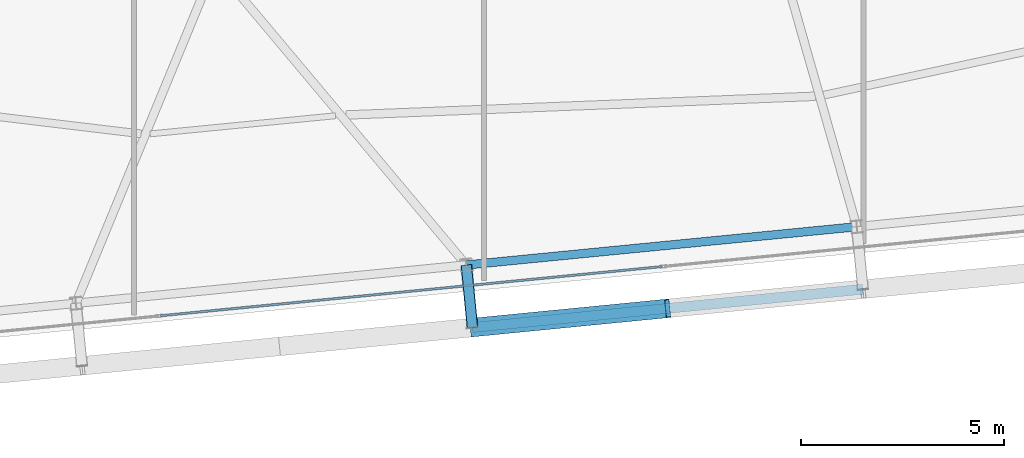
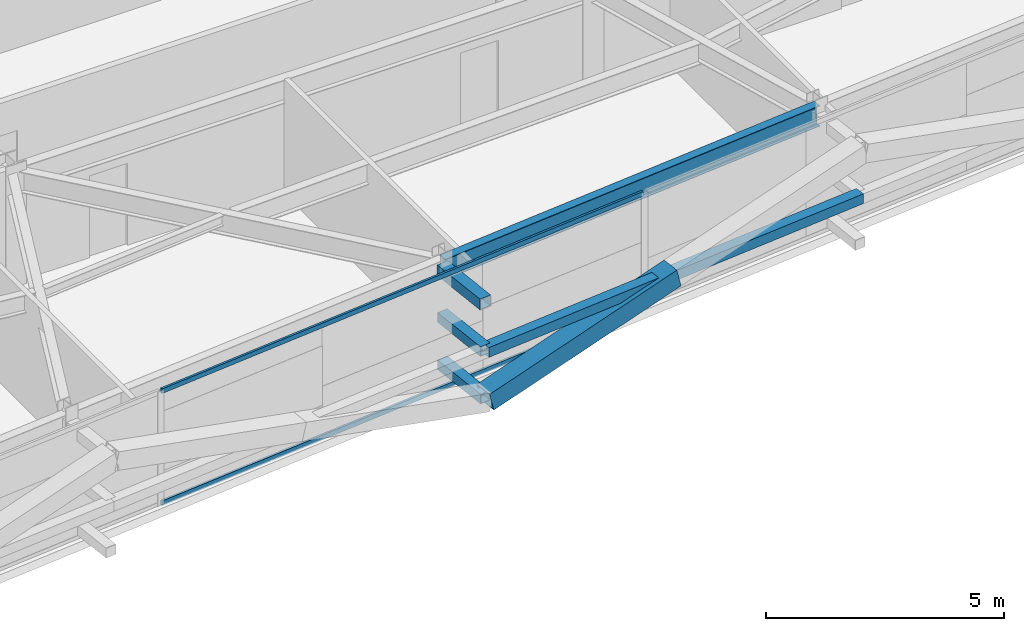
# One storey, part 10 of 47: 7 members, 1 beam, 1 element without a shape of its own.
"""IFC4 building model written with IfcOpenShell, lengths in metres."""

from ifc_helpers import new_model, si_unit, direction, frame, origin, origin_2d, place, context, subcontext, project, spatial, hollow_rectangle, i_section, extrude, source, transform, mapped, material, layer, layer_set, material_profile, profile_set, type_object, element, aggregate, save


model = new_model("IFC4")

# Units and contexts
model_context = context("Model", 3, precision=1e-05, world=origin(), true_north=direction((0.0, 1.0)))
body_context = subcontext(model_context, "Body", "Model", "MODEL_VIEW")
ifc_project = project(units=[si_unit("LENGTHUNIT", "METRE"), si_unit("AREAUNIT", "SQUARE_METRE"), si_unit("VOLUMEUNIT", "CUBIC_METRE"), si_unit("PLANEANGLEUNIT", "RADIAN"), si_unit("MASSUNIT", "GRAM", prefix="KILO")], contexts=[model_context])

# Site, building, storey
site_placement = place(None, origin())
site = spatial("IfcSite", under=ifc_project, at=site_placement, CompositionType="ELEMENT")
building_placement = place(site_placement, origin())
building = spatial("IfcBuilding", under=site, at=building_placement, Name="Taldren Reach Tower", CompositionType="ELEMENT")
storey_placement = place(building_placement, frame((0.0, 0.0, 87.14990234375)))
storey = spatial("IfcBuildingStorey", under=building, at=storey_placement, Name="L26", CompositionType="ELEMENT", Elevation=87.14990234375)

# Beam
ifc_material_1 = material(Name="Steel Gr 350 (350PLUS)", Category="steel")
ifc_material_profile_1 = material_profile(ifc_material_1, i_section(OverallWidth=0.208984375, OverallDepth=0.528076171875, WebThickness=0.009521484375, FlangeThickness=0.01318359375, at=origin_2d()), Name="530UB82.0")
ifc_profile_set_1 = profile_set([ifc_material_profile_1], Name="Steel Gr 350 (350PLUS)")
beam_type = type_object("IfcBeamType", Name="SP-UB530B", PredefinedType="SPANDREL", material=ifc_profile_set_1)
shared_shape_1 = source(origin(), body_context, "Body", "SweptSolid", [
    extrude(i_section(OverallWidth=0.208984375, OverallDepth=0.528076171875, WebThickness=0.009521484375, FlangeThickness=0.01318359375, at=origin_2d()), origin(), (0.0, 0.0, 1.0), 9.679931640625),
])
beam_placement = place(storey_placement, frame((34.20166015625, 1.809326171875, 2.666015625), z_axis=(0.995227612658, 0.097580730699, 0.0), x_axis=(-0.097580730699, 0.995227612658, 0.0)))
element("IfcBeam", 1, at=beam_placement, inside=storey, type_object=beam_type, Name="Perimeter spandrel B2 S3-S4 L26", PredefinedType="SPANDREL", context=body_context, shape_type="MappedRepresentation", body=[
    mapped(shared_shape_1, transform((0.0, 0.0, 0.0), scale=1.0)),
])

# Members
ifc_material_2 = material(Name="Steel Gr 450 (C450L0)", Category="steel")
ifc_material_profile_2 = material_profile(ifc_material_2, hollow_rectangle(XDim=0.27490234375, YDim=0.27490234375, WallThickness=0.00927734375, at=origin_2d()), Name="275x275x9.3SHS")
ifc_profile_set_2 = profile_set([ifc_material_profile_2], Name="Steel Gr 450 (C450L0)")
member_type_1 = type_object("IfcMemberType", Name="MB-TIE273", PredefinedType="STRUT", material=ifc_profile_set_2)
shared_shape_2 = source(origin(), body_context, "Body", "SweptSolid", [
    extrude(hollow_rectangle(XDim=0.27490234375, YDim=0.27490234375, WallThickness=0.00927734375, at=origin_2d()), origin(), (0.0, 0.0, 1.0), 1.550048828125),
])
member_1_placement = place(storey_placement, frame((34.20166015625, 1.809326171875, 2.650146484375), z_axis=(0.097647892962, -0.9952210252, 0.0), x_axis=(0.9952210252, 0.097647892962, 0.0)))
element("IfcMember", 2, at=member_1_placement, inside=storey, type_object=member_type_1, Name="Exoskeleton diaphragm tie strut B2-S3 L26", PredefinedType="STRUT", context=body_context, shape_type="MappedRepresentation", body=[
    mapped(shared_shape_2, transform((0.0, 0.0, 0.0), scale=1.0)),
])
ifc_material_profile_3 = material_profile(ifc_material_2, hollow_rectangle(XDim=0.4599609375, YDim=0.4599609375, WallThickness=0.01611328125, at=origin_2d()), Name="460x460x16.0SHS")
ifc_profile_set_3 = profile_set([ifc_material_profile_3], Name="Steel Gr 450 (C450L0)")
member_type_2 = type_object("IfcMemberType", Name="MB-EXO457", PredefinedType="BRACE", material=ifc_profile_set_3)
shared_shape_3 = source(origin(), body_context, "Body", "SweptSolid", [
    extrude(hollow_rectangle(XDim=0.4599609375, YDim=0.4599609375, WallThickness=0.01611328125, at=origin_2d()), origin(), (0.0, 0.0, 1.0), 4.990234375),
])
member_2_placement = place(storey_placement, frame((34.35302734375, 0.2666015625, 0.22021484375), z_axis=(0.965282554799, 0.094669120301, 0.243448859234), x_axis=(-0.097605711627, 0.995225162995, 0.0)))
element("IfcMember", 3, at=member_2_placement, inside=storey, type_object=member_type_2, Name="Exoskeleton Diagrid Brace B2-S3 L26", PredefinedType="BRACE", context=body_context, shape_type="MappedRepresentation", body=[
    mapped(shared_shape_3, transform((0.0, 0.0, 0.0), scale=1.0)),
])
ifc_material_3 = material(Name="Steel Gr 350 (C350L0)", Category="steel")
ifc_material_profile_4 = material_profile(ifc_material_3, hollow_rectangle(XDim=0.25, YDim=0.25, WallThickness=0.010009765625, at=origin_2d()), Name="250x250x10.0SHS")
ifc_profile_set_4 = profile_set([ifc_material_profile_4], Name="Steel Gr 350 (C350L0)")
member_type_3 = type_object("IfcMemberType", Name="MB-POST250", PredefinedType="POST", material=ifc_profile_set_4)
shared_shape_4 = source(origin(), body_context, "Body", "SweptSolid", [
    extrude(hollow_rectangle(XDim=0.25, YDim=0.25, WallThickness=0.010009765625, at=origin_2d()), origin(), (0.0, 0.0, 1.0), 9.679931640625),
])
member_3_placement = place(storey_placement, frame((34.35302734375, 0.2666015625, 1.43505859375), z_axis=(0.995225162995, 0.097605711627, 0.0), x_axis=(-0.097605711627, 0.995225162995, 0.0)))
element("IfcMember", 4, at=member_3_placement, inside=storey, type_object=member_type_3, Name="Exoskeleton mid-height ring chord B2-S3 L26", PredefinedType="POST", context=body_context, shape_type="MappedRepresentation", body=[
    mapped(shared_shape_4, transform((0.0, 0.0, 0.0), scale=1.0)),
])
shared_shape_5 = source(origin(), body_context, "Body", "SweptSolid", [
    extrude(hollow_rectangle(XDim=0.25, YDim=0.25, WallThickness=0.010009765625, at=origin_2d()), origin(), (0.0, 0.0, 1.0), 1.550048828125),
])
for number, where, z_axis, x_axis, name in (
    (5, (34.20166015625, 1.809326171875, 0.22021484375), (0.097647892962, -0.9952210252, 0.0), (0.9952210252, 0.097647892962, 0.0), "Exoskeleton base diaphragm tie strut B2-S3 L26"),
    (6, (34.20166015625, 1.809326171875, 1.43505859375), (0.097647892962, -0.9952210252, 0.0), (0.9952210252, 0.097647892962, 0.0), "Exoskeleton mid-tier diaphragm tie B2-S3 L26"),
):
    element("IfcMember", number, at=place(storey_placement, frame(where, z_axis=z_axis, x_axis=x_axis)), inside=storey, type_object=member_type_3, Name=name, PredefinedType="POST", context=body_context, shape_type="MappedRepresentation", body=[
        mapped(shared_shape_5, transform((0.0, 0.0, 0.0), scale=1.0)),
    ])

# Curtain wall, members
ifc_material_4 = material(Name="Aluminium and Low-E Glass Unitised System", Category="aluminium")
ifc_layer = layer(ifc_material_4, 0.159912109375)
ifc_layer_set = layer_set([ifc_layer], Name="Aluminium and Low-E Glass Unitised System")
curtain_wall_type = type_object("IfcCurtainWallType", Name="CW-SYS-3", PredefinedType="NOTDEFINED", material=ifc_layer_set)
curtain_wall_placement = place(storey_placement, origin())
curtain_wall = element("IfcCurtainWall", 7, at=curtain_wall_placement, inside=storey, type_object=curtain_wall_type, Name="Unitised curtain wall CW-L26-S", PredefinedType="NOTDEFINED")
ifc_material_5 = material(Name="Anodised Aluminium 6063-T6", Category="aluminium")
ifc_material_profile_5 = material_profile(ifc_material_5, hollow_rectangle(XDim=0.054931640625, YDim=0.1201171875, WallThickness=0.0029296875, at=origin_2d()), Name="ALU-120x55x3RHS")
ifc_profile_set_5 = profile_set([ifc_material_profile_5], Name="Anodised Aluminium 6063-T6")
member_type_4 = type_object("IfcMemberType", Name="CW-TRN-135", PredefinedType="USERDEFINED", material=ifc_profile_set_5)
shared_shape_6 = source(origin(), body_context, "Body", "SweptSolid", [
    extrude(hollow_rectangle(XDim=0.054931640625, YDim=0.1201171875, WallThickness=0.0029296875, at=origin_2d()), origin(), (0.0, 0.0, 1.0), 12.43505859375),
])
member_4_placement = place(storey_placement, frame((26.660400390625, 0.557373046875, 0.027587890625), z_axis=(0.995227964368, 0.097577143535, 0.0), x_axis=(-0.097577143535, 0.995227964368, 0.0)))
member_4 = element("IfcMember", 8, at=member_4_placement, type_object=member_type_4, Name="CW-3 transom 2.1", ObjectType="TRANSOM", PredefinedType="USERDEFINED", context=body_context, shape_type="MappedRepresentation", body=[
    mapped(shared_shape_6, transform((0.0, 0.0, 0.0), scale=1.0)),
])
member_5_placement = place(storey_placement, frame((26.660400390625, 0.557373046875, 2.902587890625), z_axis=(0.995227964368, 0.097577143535, 0.0), x_axis=(-0.097577143535, 0.995227964368, 0.0)))
member_5 = element("IfcMember", 9, at=member_5_placement, type_object=member_type_4, Name="CW-3 transom 2.2", ObjectType="TRANSOM", PredefinedType="USERDEFINED", context=body_context, shape_type="MappedRepresentation", body=[
    mapped(shared_shape_6, transform((0.0, 0.0, 0.0), scale=1.0)),
])
aggregate(curtain_wall, [member_4, member_5])

save(model, "model.ifc")
